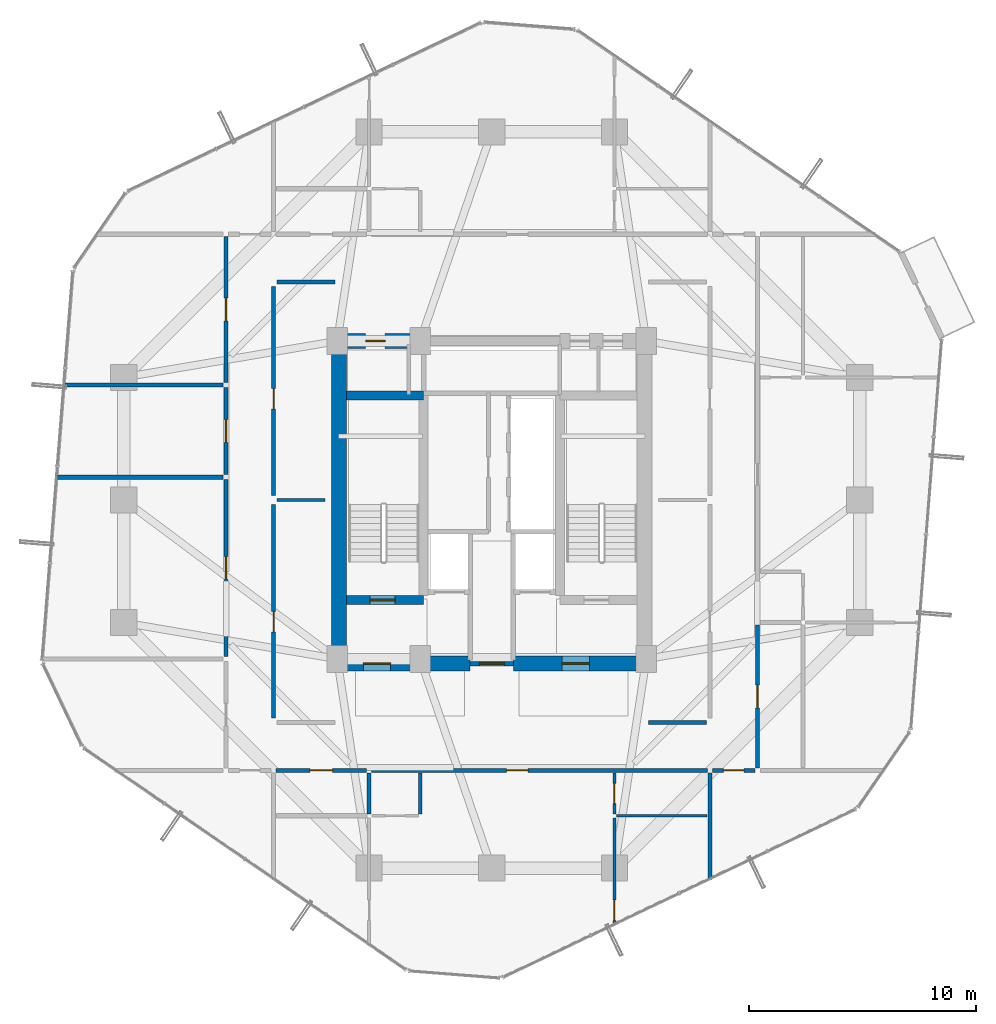
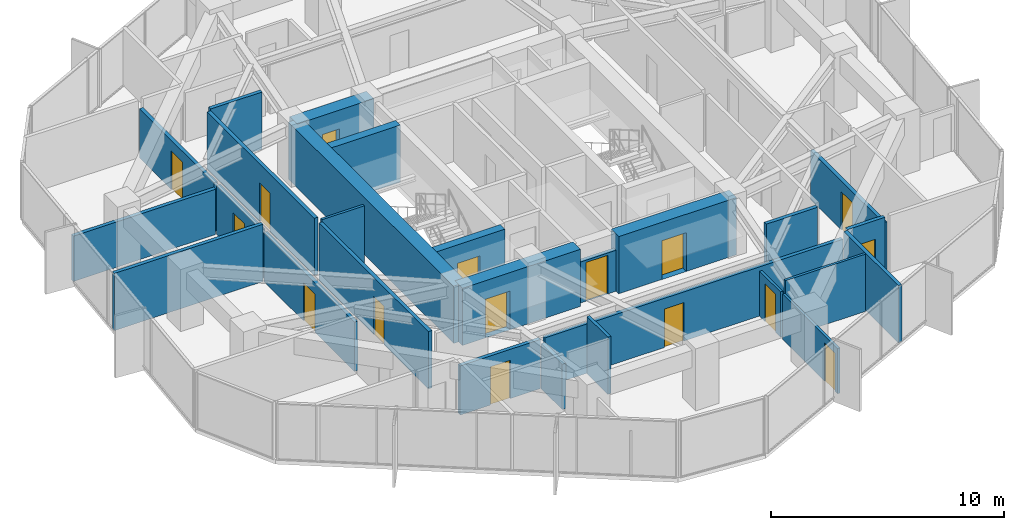
# One storey, part 26 of 30: 27 walls, 16 doors, 16 openings.
"""IFC4 building model written with IfcOpenShell, lengths in metres."""

from ifc_helpers import new_model, si_unit, direction, frame, frame_2d, origin, place, context, subcontext, project, spatial, rectangle, extrude, source, transform, mapped, material, layer, layer_set, type_object, element, fill, save


model = new_model("IFC4")

# Units and contexts
model_context = context("Model", 3, precision=1e-05, world=origin(), true_north=direction((0.0, 1.0)))
body_context = subcontext(model_context, "Body", "Model", "MODEL_VIEW")
ifc_project = project(units=[si_unit("LENGTHUNIT", "METRE"), si_unit("AREAUNIT", "SQUARE_METRE"), si_unit("VOLUMEUNIT", "CUBIC_METRE"), si_unit("PLANEANGLEUNIT", "RADIAN"), si_unit("MASSUNIT", "GRAM", prefix="KILO")], contexts=[model_context])

# Site, building, storey
site_placement = place(None, origin())
site = spatial("IfcSite", under=ifc_project, at=site_placement, CompositionType="ELEMENT")
building_placement = place(site_placement, origin())
building = spatial("IfcBuilding", under=site, at=building_placement, Name="Veraguas Prism Commons", CompositionType="ELEMENT")
storey_placement = place(building_placement, frame((0.0, 0.0, 113.25)))
storey = spatial("IfcBuildingStorey", under=building, at=storey_placement, Name="L31", CompositionType="ELEMENT", Elevation=113.25)

# Wall, opening, door
ifc_material_1 = material(Name="Concrete C50/60", Category="concrete")
ifc_layer_1 = layer(ifc_material_1, 0.39990234375, Name="Clinic and Mid Core Shear Wall RC 400", Category="concrete")
ifc_layer_set_1 = layer_set([ifc_layer_1], Name="Concrete C50/60")
wall_type_1 = type_object("IfcWallType", Name="Clinic and Mid Core Shear Wall RC 400", PredefinedType="SHEAR", material=ifc_layer_set_1)
wall_1_placement = place(storey_placement, frame((17.60009765625, 19.60009765625, 0.0), z_axis=(0.0, 0.0, 1.0), x_axis=(1.0, 0.0, 0.0)))
wall_1 = element("IfcWall", 1, at=wall_1_placement, inside=storey, type_object=wall_type_1, Name="Stair ST-01 South Shear Wall L31", PredefinedType="SHEAR", context=body_context, shape_type="SweptSolid", body=[
    extrude(rectangle(XDim=3.39990234375, YDim=0.39990234375, at=frame_2d((1.699951171875, 0.0))), origin(), (0.0, 0.0, 1.0), 3.0),
])
opening_1_placement = place(wall_1_placement, frame((1.050048828125, 0.0, 0.0)))
opening_1 = element("IfcOpeningElement", 2, at=opening_1_placement, cuts=wall_1, Name="Opening DR-05", PredefinedType="OPENING", context=body_context, shape_type="SweptSolid", body=[
    extrude(rectangle(XDim=1.10009765625, YDim=2.030029296875, at=frame_2d((0.550048828125, 1.01513671875))), frame((0.0, 0.2099609375, 0.0), z_axis=(0.0, -1.0, 0.0), x_axis=(1.0, 0.0, 0.0)), (0.0, 0.0, 1.0), 0.419921875),
])
ifc_material_2 = material(Name="Steel fire-rated door assembly", Category="steel")
door_type_1 = type_object("IfcDoorType", Name="Protected Stair and Refuge Fire Door 1100x2030", OperationType="NOTDEFINED", PredefinedType="DOOR", material=ifc_material_2)
shared_shape_1 = source(origin(), body_context, "Body", "SweptSolid", [
    extrude(rectangle(XDim=1.10009765625, YDim=2.030029296875, at=frame_2d((0.550048828125, 1.01513671875))), frame((0.0, 0.02490234375, 0.0), z_axis=(0.0, -1.0, 0.0), x_axis=(1.0, 0.0, 0.0)), (0.0, 0.0, 1.0), 0.050048828125),
])
door_1_placement = place(opening_1_placement, origin())
door_1 = element("IfcDoor", 3, at=door_1_placement, inside=storey, type_object=door_type_1, Name="Stair ST-01 Enclosure Door L31", OperationType="SINGLE_SWING_LEFT", OverallHeight=2.030029296875, OverallWidth=1.10009765625, PredefinedType="DOOR", context=body_context, shape_type="MappedRepresentation", body=[
    mapped(shared_shape_1, transform((0.0, 0.0, 0.0), scale=1.0)),
])
fill(opening_1, door_1)

# Walls
wall_2_placement = place(storey_placement, frame((17.60009765625, 28.60009765625, 0.0), z_axis=(0.0, 0.0, 1.0), x_axis=(1.0, 0.0, 0.0)))
element("IfcWall", 4, at=wall_2_placement, inside=storey, type_object=wall_type_1, Name="Stair ST-01 North Shear Wall L31", PredefinedType="SHEAR", context=body_context, shape_type="SweptSolid", body=[
    extrude(rectangle(XDim=3.39990234375, YDim=0.39990234375, at=frame_2d((1.699951171875, 0.0))), origin(), (0.0, 0.0, 1.0), 3.0),
])
ifc_material_3 = material(Name="Concrete C55/67", Category="concrete")
ifc_layer_2 = layer(ifc_material_3, 0.64990234375, Name="Core Outer Shear Wall Mid RC 650", Category="concrete")
ifc_layer_set_2 = layer_set([ifc_layer_2], Name="Concrete C55/67")
wall_type_2 = type_object("IfcWallType", Name="Core Outer Shear Wall Mid RC 650", PredefinedType="SHEAR", material=ifc_layer_set_2)
wall_3_placement = place(storey_placement, frame((17.27490234375, 16.800048828125, 0.0), z_axis=(0.0, 0.0, 1.0), x_axis=(0.0, 1.0, 0.0)))
element("IfcWall", 5, at=wall_3_placement, inside=storey, type_object=wall_type_2, Name="Central Core West Shear Wall L31", PredefinedType="SHEAR", context=body_context, shape_type="SweptSolid", body=[
    extrude(rectangle(XDim=14.199951171875, YDim=0.64990234375, at=frame_2d((7.10009765625, 0.0))), origin(), (0.0, 0.0, 1.0), 3.0),
])

# Wall, opening, door
wall_4_placement = place(storey_placement, frame((17.199951171875, 16.800048828125, 0.0), z_axis=(0.0, 0.0, 1.0), x_axis=(1.0, 0.0, 0.0)))
wall_4 = element("IfcWall", 6, at=wall_4_placement, inside=storey, type_object=wall_type_2, Name="Central Core South-West Shear Wall L31", PredefinedType="SHEAR", context=body_context, shape_type="SweptSolid", body=[
    extrude(rectangle(XDim=5.85009765625, YDim=0.64990234375, at=frame_2d((2.925048828125, 0.0))), origin(), (0.0, 0.0, 1.0), 3.0),
])
opening_2_placement = place(wall_4_placement, frame((1.14990234375, 0.0, 0.0)))
opening_2 = element("IfcOpeningElement", 7, at=opening_2_placement, cuts=wall_4, Name="Opening DR-06", PredefinedType="OPENING", context=body_context, shape_type="SweptSolid", body=[
    extrude(rectangle(XDim=1.199951171875, YDim=2.030029296875, at=frame_2d((0.60009765625, 1.01513671875))), frame((0.0, 0.3349609375, 0.0), z_axis=(0.0, -1.0, 0.0), x_axis=(1.0, 0.0, 0.0)), (0.0, 0.0, 1.0), 0.669921875),
])
door_type_2 = type_object("IfcDoorType", Name="Firefighting Lobby Smoke Door 1200x2030", OperationType="NOTDEFINED", PredefinedType="DOOR", material=ifc_material_2)
shared_shape_2 = source(origin(), body_context, "Body", "SweptSolid", [
    extrude(rectangle(XDim=1.199951171875, YDim=2.030029296875, at=frame_2d((0.60009765625, 1.01513671875))), frame((0.0, 0.02490234375, 0.0), z_axis=(0.0, -1.0, 0.0), x_axis=(1.0, 0.0, 0.0)), (0.0, 0.0, 1.0), 0.050048828125),
])
door_2_placement = place(opening_2_placement, origin())
door_2 = element("IfcDoor", 8, at=door_2_placement, inside=storey, type_object=door_type_2, Name="West FF Lobby Door L31", OperationType="SINGLE_SWING_LEFT", OverallHeight=2.030029296875, OverallWidth=1.199951171875, PredefinedType="DOOR", context=body_context, shape_type="MappedRepresentation", body=[
    mapped(shared_shape_2, transform((0.0, 0.0, 0.0), scale=1.0)),
])
fill(opening_2, door_2)

wall_5_placement = place(storey_placement, frame((24.949951171875, 16.800048828125, 0.0), z_axis=(0.0, 0.0, 1.0), x_axis=(1.0, 0.0, 0.0)))
wall_5 = element("IfcWall", 9, at=wall_5_placement, inside=storey, type_object=wall_type_2, Name="Central Core South-East Shear Wall L31", PredefinedType="SHEAR", context=body_context, shape_type="SweptSolid", body=[
    extrude(rectangle(XDim=5.85009765625, YDim=0.64990234375, at=frame_2d((2.925048828125, 0.0))), origin(), (0.0, 0.0, 1.0), 3.0),
])
opening_3_placement = place(wall_5_placement, frame((2.14990234375, 0.0, 0.0)))
opening_3 = element("IfcOpeningElement", 10, at=opening_3_placement, cuts=wall_5, Name="Opening DR-06", PredefinedType="OPENING", context=body_context, shape_type="SweptSolid", body=[
    extrude(rectangle(XDim=1.199951171875, YDim=2.030029296875, at=frame_2d((0.60009765625, 1.01513671875))), frame((0.0, 0.3349609375, 0.0), z_axis=(0.0, -1.0, 0.0), x_axis=(1.0, 0.0, 0.0)), (0.0, 0.0, 1.0), 0.669921875),
])
door_3_placement = place(opening_3_placement, origin())
door_3 = element("IfcDoor", 11, at=door_3_placement, inside=storey, type_object=door_type_2, Name="East FF Lobby Door L31", OperationType="SINGLE_SWING_LEFT", OverallHeight=2.030029296875, OverallWidth=1.199951171875, PredefinedType="DOOR", context=body_context, shape_type="MappedRepresentation", body=[
    mapped(shared_shape_2, transform((0.0, 0.0, 0.0), scale=1.0)),
])
fill(opening_3, door_3)

wall_6_placement = place(storey_placement, frame((17.199951171875, 31.0, 0.0), z_axis=(0.0, 0.0, 1.0), x_axis=(1.0, 0.0, 0.0)))
wall_6 = element("IfcWall", 12, at=wall_6_placement, inside=storey, type_object=wall_type_2, Name="Central Core North-West Shear Wall L31", PredefinedType="SHEAR", context=body_context, shape_type="SweptSolid", body=[
    extrude(rectangle(XDim=3.800048828125, YDim=0.64990234375, at=frame_2d((1.89990234375, 0.0))), origin(), (0.0, 0.0, 1.0), 3.0),
])
opening_4_placement = place(wall_6_placement, frame((1.25, 0.0, 0.0)))
opening_4 = element("IfcOpeningElement", 13, at=opening_4_placement, cuts=wall_6, Name="Opening DR-12", PredefinedType="OPENING", context=body_context, shape_type="SweptSolid", body=[
    extrude(rectangle(XDim=0.860107421875, YDim=2.010009765625, at=frame_2d((0.43017578125, 1.0048828125))), frame((0.0, 0.3349609375, 0.0), z_axis=(0.0, -1.0, 0.0), x_axis=(1.0, 0.0, 0.0)), (0.0, 0.0, 1.0), 0.669921875),
])
door_type_3 = type_object("IfcDoorType", Name="Core WC Fire Door 860x2010", OperationType="NOTDEFINED", PredefinedType="DOOR", material=ifc_material_2)
shared_shape_3 = source(origin(), body_context, "Body", "SweptSolid", [
    extrude(rectangle(XDim=0.860107421875, YDim=2.010009765625, at=frame_2d((0.43017578125, 1.0048828125))), frame((0.0, 0.02490234375, 0.0), z_axis=(0.0, -1.0, 0.0), x_axis=(1.0, 0.0, 0.0)), (0.0, 0.0, 1.0), 0.050048828125),
])
door_4_placement = place(opening_4_placement, origin())
door_4 = element("IfcDoor", 14, at=door_4_placement, inside=storey, type_object=door_type_3, Name="Core NW Service Door L31", OperationType="SINGLE_SWING_RIGHT", OverallHeight=2.010009765625, OverallWidth=0.860107421875, PredefinedType="DOOR", context=body_context, shape_type="MappedRepresentation", body=[
    mapped(shared_shape_3, transform((0.0, 0.0, 0.0), scale=1.0)),
])
fill(opening_4, door_4)

ifc_material_4 = material(Name="Autoclaved aerated masonry block 10 MPa", Category="masonry")
ifc_layer_3 = layer(ifc_material_4, 0.179931640625, Name="Corridor and Inter-Tenancy Partition 180", Category="masonry")
ifc_layer_set_3 = layer_set([ifc_layer_3], Name="Autoclaved aerated masonry block 10 MPa")
wall_type_3 = type_object("IfcWallType", Name="Corridor and Inter-Tenancy Partition 180", PredefinedType="PARTITIONING", material=ifc_layer_set_3)
wall_7_placement = place(storey_placement, frame((14.39990234375, 14.39990234375, 0.0), z_axis=(0.0, 0.0, 1.0), x_axis=(0.0, 1.0, 0.0)))
wall_7 = element("IfcWall", 15, at=wall_7_placement, inside=storey, type_object=wall_type_3, Name="WL-L31-IRW1", PredefinedType="PARTITIONING", context=body_context, shape_type="SweptSolid", body=[
    extrude(rectangle(XDim=9.400146484375, YDim=0.179931640625, at=frame_2d((4.7001953125, 0.0))), origin(), (0.0, 0.0, 1.0), 3.0),
])
opening_5_placement = place(wall_7_placement, frame((3.800048828125, 0.0, 0.0)))
opening_5 = element("IfcOpeningElement", 16, at=opening_5_placement, cuts=wall_7, Name="Opening DR-14", PredefinedType="OPENING", context=body_context, shape_type="SweptSolid", body=[
    extrude(rectangle(XDim=0.89990234375, YDim=2.010009765625, at=frame_2d((0.449951171875, 1.0048828125))), frame((0.0, 0.099853515625, 0.0), z_axis=(0.0, -1.0, 0.0), x_axis=(1.0, 0.0, 0.0)), (0.0, 0.0, 1.0), 0.199951171875),
])
door_type_4 = type_object("IfcDoorType", Name="Core Service Room Fire Door 900x2010", OperationType="NOTDEFINED", PredefinedType="DOOR", material=ifc_material_2)
shared_shape_4 = source(origin(), body_context, "Body", "SweptSolid", [
    extrude(rectangle(XDim=0.89990234375, YDim=2.010009765625, at=frame_2d((0.449951171875, 1.0048828125))), frame((0.0, 0.02490234375, 0.0), z_axis=(0.0, -1.0, 0.0), x_axis=(1.0, 0.0, 0.0)), (0.0, 0.0, 1.0), 0.050048828125),
])
door_5_placement = place(opening_5_placement, origin())
door_5 = element("IfcDoor", 17, at=door_5_placement, inside=storey, type_object=door_type_4, Name="Residents Quiet Study Pod Door L31", OperationType="SINGLE_SWING_RIGHT", OverallHeight=2.010009765625, OverallWidth=0.89990234375, PredefinedType="DOOR", context=body_context, shape_type="MappedRepresentation", body=[
    mapped(shared_shape_4, transform((0.0, 0.0, 0.0), scale=1.0)),
])
fill(opening_5, door_5)

wall_8_placement = place(storey_placement, frame((14.39990234375, 24.199951171875, 0.0), z_axis=(0.0, 0.0, 1.0), x_axis=(0.0, 1.0, 0.0)))
wall_8 = element("IfcWall", 18, at=wall_8_placement, inside=storey, type_object=wall_type_3, Name="WL-L31-IRW2", PredefinedType="PARTITIONING", context=body_context, shape_type="SweptSolid", body=[
    extrude(rectangle(XDim=9.199951171875, YDim=0.179931640625, at=frame_2d((4.60009765625, 0.0))), origin(), (0.0, 0.0, 1.0), 3.0),
])
opening_6_placement = place(wall_8_placement, frame((3.800048828125, 0.0, 0.0)))
opening_6 = element("IfcOpeningElement", 19, at=opening_6_placement, cuts=wall_8, Name="Opening DR-14", PredefinedType="OPENING", context=body_context, shape_type="SweptSolid", body=[
    extrude(rectangle(XDim=0.89990234375, YDim=2.010009765625, at=frame_2d((0.449951171875, 1.0048828125))), frame((0.0, 0.099853515625, 0.0), z_axis=(0.0, -1.0, 0.0), x_axis=(1.0, 0.0, 0.0)), (0.0, 0.0, 1.0), 0.199951171875),
])
door_6_placement = place(opening_6_placement, origin())
door_6 = element("IfcDoor", 20, at=door_6_placement, inside=storey, type_object=door_type_4, Name="Co-op Cycle and Pram Store Door L31", OperationType="SINGLE_SWING_LEFT", OverallHeight=2.010009765625, OverallWidth=0.89990234375, PredefinedType="DOOR", context=body_context, shape_type="MappedRepresentation", body=[
    mapped(shared_shape_4, transform((0.0, 0.0, 0.0), scale=1.0)),
])
fill(opening_6, door_6)

# Walls
for number, where, z_axis, x_axis, name in (
    (21, (14.550048828125, 33.60009765625, 0.0), (0.0, 0.0, 1.0), (1.0, 0.0, 0.0), "WL-L31-IRWN"),
    (22, (30.89990234375, 14.199951171875, 0.0), (0.0, 0.0, 1.0), (1.0, 0.0, 0.0), "WL-L31-IRES"),
):
    element("IfcWall", number, at=place(storey_placement, frame(where, z_axis=z_axis, x_axis=x_axis)), inside=storey, type_object=wall_type_3, Name=name, PredefinedType="PARTITIONING", context=body_context, shape_type="SweptSolid", body=[
        extrude(rectangle(XDim=2.550048828125, YDim=0.179931640625, at=frame_2d((1.27490234375, 0.0))), origin(), (0.0, 0.0, 1.0), 3.0),
    ])
wall_9_placement = place(storey_placement, frame((33.60009765625, 11.97998046875, 0.0), z_axis=(0.0, 0.0, 1.0), x_axis=(0.0, -1.0, 0.0)))
element("IfcWall", 23, at=wall_9_placement, inside=storey, type_object=wall_type_3, Name="WL-L31-PT002", PredefinedType="PARTITIONING", context=body_context, shape_type="SweptSolid", body=[
    extrude(rectangle(XDim=4.6875, YDim=0.179931640625, at=frame_2d((2.34375, 0.0))), origin(), (0.0, 0.0, 1.0), 3.0),
])

# Wall, opening, door
wall_10_placement = place(storey_placement, frame((14.510009765625, 12.10009765625, 0.0), z_axis=(0.0, 0.0, 1.0), x_axis=(1.0, 0.0, 0.0)))
wall_10 = element("IfcWall", 24, at=wall_10_placement, inside=storey, type_object=wall_type_3, Name="WL-L31-PT003", PredefinedType="PARTITIONING", context=body_context, shape_type="SweptSolid", body=[
    extrude(rectangle(XDim=3.97998046875, YDim=0.179931640625, at=frame_2d((1.989990234375, 0.0))), origin(), (0.0, 0.0, 1.0), 2.580078125),
])
opening_7_placement = place(wall_10_placement, frame((1.489990234375, 0.0, 0.0)))
opening_7 = element("IfcOpeningElement", 25, at=opening_7_placement, cuts=wall_10, Name="Opening DR-13", PredefinedType="OPENING", context=body_context, shape_type="SweptSolid", body=[
    extrude(rectangle(XDim=1.0, YDim=2.010009765625, at=frame_2d((0.5, 1.0048828125))), frame((0.0, 0.099853515625, 0.0), z_axis=(0.0, -1.0, 0.0), x_axis=(1.0, 0.0, 0.0)), (0.0, 0.0, 1.0), 0.199951171875),
])
door_type_5 = type_object("IfcDoorType", Name="Core Accessible WC and Clinic Fire Door 1000x2010", OperationType="NOTDEFINED", PredefinedType="DOOR", material=ifc_material_2)
shared_shape_5 = source(origin(), body_context, "Body", "SweptSolid", [
    extrude(rectangle(XDim=1.0, YDim=2.010009765625, at=frame_2d((0.5, 1.0048828125))), frame((0.0, 0.02490234375, 0.0), z_axis=(0.0, -1.0, 0.0), x_axis=(1.0, 0.0, 0.0)), (0.0, 0.0, 1.0), 0.050048828125),
])
door_7_placement = place(opening_7_placement, origin())
door_7 = element("IfcDoor", 26, at=door_7_placement, inside=storey, type_object=door_type_5, Name="Residents Study Alcove 31A Door", OperationType="SINGLE_SWING_RIGHT", OverallHeight=2.010009765625, OverallWidth=1.0, PredefinedType="DOOR", context=body_context, shape_type="MappedRepresentation", body=[
    mapped(shared_shape_5, transform((0.0, 0.0, 0.0), scale=1.0)),
])
fill(opening_7, door_7)

wall_11_placement = place(storey_placement, frame((18.7099609375, 12.10009765625, 0.0), z_axis=(0.0, 0.0, 1.0), x_axis=(1.0, 0.0, 0.0)))
wall_11 = element("IfcWall", 27, at=wall_11_placement, inside=storey, type_object=wall_type_3, Name="WL-L31-PT004", PredefinedType="PARTITIONING", context=body_context, shape_type="SweptSolid", body=[
    extrude(rectangle(XDim=14.780029296875, YDim=0.179931640625, at=frame_2d((7.39013671875, 0.0))), origin(), (0.0, 0.0, 1.0), 2.580078125),
])
opening_8_placement = place(wall_11_placement, frame((5.93994140625, 0.0, 0.0)))
opening_8 = element("IfcOpeningElement", 28, at=opening_8_placement, cuts=wall_11, Name="Opening DR-01", PredefinedType="OPENING", context=body_context, shape_type="SweptSolid", body=[
    extrude(rectangle(XDim=0.949951171875, YDim=2.02001953125, at=frame_2d((0.47509765625, 1.010009765625))), frame((0.0, 0.099853515625, 0.0), z_axis=(0.0, -1.0, 0.0), x_axis=(1.0, 0.0, 0.0)), (0.0, 0.0, 1.0), 0.199951171875),
])
ifc_material_5 = material(Name="Anodised aluminium EN AW-6063 T6", Category="aluminium")
door_type_6 = type_object("IfcDoorType", Name="Apartment Entrance Fire Door 950x2020", OperationType="NOTDEFINED", PredefinedType="DOOR", material=ifc_material_5)
shared_shape_6 = source(origin(), body_context, "Body", "SweptSolid", [
    extrude(rectangle(XDim=0.949951171875, YDim=2.02001953125, at=frame_2d((0.47509765625, 1.010009765625))), frame((0.0, 0.02490234375, 0.0), z_axis=(0.0, -1.0, 0.0), x_axis=(1.0, 0.0, 0.0)), (0.0, 0.0, 1.0), 0.050048828125),
])
door_8_placement = place(opening_8_placement, origin())
door_8 = element("IfcDoor", 29, at=door_8_placement, inside=storey, type_object=door_type_6, Name="Flat 31A Entrance Door", OperationType="SINGLE_SWING_LEFT", OverallHeight=2.02001953125, OverallWidth=0.949951171875, PredefinedType="DOOR", context=body_context, shape_type="MappedRepresentation", body=[
    mapped(shared_shape_6, transform((0.0, 0.0, 0.0), scale=1.0)),
])
fill(opening_8, door_8)

# Wall
wall_12_placement = place(storey_placement, frame((18.60009765625, 11.97998046875, 0.0), z_axis=(0.0, 0.0, 1.0), x_axis=(0.0, -1.0, 0.0)))
element("IfcWall", 30, at=wall_12_placement, inside=storey, type_object=wall_type_3, Name="WL-L31-PT006", PredefinedType="PARTITIONING", context=body_context, shape_type="SweptSolid", body=[
    extrude(rectangle(XDim=1.800048828125, YDim=0.179931640625, at=frame_2d((0.89990234375, 0.0))), origin(), (0.0, 0.0, 1.0), 2.3779296875),
])

# Wall, opening, door
wall_13_placement = place(storey_placement, frame((12.300048828125, 17.113037109375, 0.0), z_axis=(0.0, 0.0, 1.0), x_axis=(0.0, 1.0, 0.0)))
wall_13 = element("IfcWall", 31, at=wall_13_placement, inside=storey, type_object=wall_type_3, Name="WL-L31-PT028", PredefinedType="PARTITIONING", context=body_context, shape_type="SweptSolid", body=[
    extrude(rectangle(XDim=7.779052734375, YDim=0.179931640625, at=frame_2d((3.8896484375, 0.0))), origin(), (0.0, 0.0, 1.0), 2.580078125),
])
opening_9_placement = place(wall_13_placement, frame((3.389404296875, 0.0, 0.0)))
opening_9 = element("IfcOpeningElement", 32, at=opening_9_placement, cuts=wall_13, Name="Opening DR-13", PredefinedType="OPENING", context=body_context, shape_type="SweptSolid", body=[
    extrude(rectangle(XDim=1.0, YDim=2.010009765625, at=frame_2d((0.5, 1.0048828125))), frame((0.0, 0.099853515625, 0.0), z_axis=(0.0, -1.0, 0.0), x_axis=(1.0, 0.0, 0.0)), (0.0, 0.0, 1.0), 0.199951171875),
])
door_9_placement = place(opening_9_placement, origin())
door_9 = element("IfcDoor", 33, at=door_9_placement, inside=storey, type_object=door_type_5, Name="Co-op Store W Door", OperationType="SINGLE_SWING_LEFT", OverallHeight=2.010009765625, OverallWidth=1.0, PredefinedType="DOOR", context=body_context, shape_type="MappedRepresentation", body=[
    mapped(shared_shape_5, transform((0.0, 0.0, 0.0), scale=1.0)),
])
fill(opening_9, door_9)

# Wall
wall_14_placement = place(storey_placement, frame((12.179931640625, 25.001953125, 0.0), z_axis=(0.0, 0.0, 1.0), x_axis=(-1.0, 0.0, 0.0)))
element("IfcWall", 34, at=wall_14_placement, inside=storey, type_object=wall_type_3, Name="WL-L31-PT030", PredefinedType="PARTITIONING", context=body_context, shape_type="SweptSolid", body=[
    extrude(rectangle(XDim=7.373046875, YDim=0.179931640625, at=frame_2d((3.6865234375, 0.0))), origin(), (0.0, 0.0, 1.0), 3.0),
])

# Wall, opening, door
wall_15_placement = place(storey_placement, frame((12.300048828125, 25.112060546875, 0.0), z_axis=(0.0, 0.0, 1.0), x_axis=(0.0, 1.0, 0.0)))
wall_15 = element("IfcWall", 35, at=wall_15_placement, inside=storey, type_object=wall_type_3, Name="WL-L31-PT031", PredefinedType="PARTITIONING", context=body_context, shape_type="SweptSolid", body=[
    extrude(rectangle(XDim=3.844970703125, YDim=0.179931640625, at=frame_2d((1.92236328125, 0.0))), origin(), (0.0, 0.0, 1.0), 2.580078125),
])
opening_10_placement = place(wall_15_placement, frame((1.422607421875, 0.0, 0.0)))
opening_10 = element("IfcOpeningElement", 36, at=opening_10_placement, cuts=wall_15, Name="Opening DR-13", PredefinedType="OPENING", context=body_context, shape_type="SweptSolid", body=[
    extrude(rectangle(XDim=1.0, YDim=2.010009765625, at=frame_2d((0.5, 1.0048828125))), frame((0.0, 0.099853515625, 0.0), z_axis=(0.0, -1.0, 0.0), x_axis=(1.0, 0.0, 0.0)), (0.0, 0.0, 1.0), 0.199951171875),
])
door_10_placement = place(opening_10_placement, origin())
door_10 = element("IfcDoor", 37, at=door_10_placement, inside=storey, type_object=door_type_5, Name="Shared Laundry Room Door", OperationType="SINGLE_SWING_RIGHT", OverallHeight=2.010009765625, OverallWidth=1.0, PredefinedType="DOOR", context=body_context, shape_type="MappedRepresentation", body=[
    mapped(shared_shape_5, transform((0.0, 0.0, 0.0), scale=1.0)),
])
fill(opening_10, door_10)

wall_16_placement = place(storey_placement, frame((12.300048828125, 29.177001953125, 0.0), z_axis=(0.0, 0.0, 1.0), x_axis=(0.0, 1.0, 0.0)))
wall_16 = element("IfcWall", 38, at=wall_16_placement, inside=storey, type_object=wall_type_3, Name="WL-L31-PT032", PredefinedType="PARTITIONING", context=body_context, shape_type="SweptSolid", body=[
    extrude(rectangle(XDim=6.4130859375, YDim=0.179931640625, at=frame_2d((3.20654296875, 0.0))), origin(), (0.0, 0.0, 1.0), 2.580078125),
])
opening_11_placement = place(wall_16_placement, frame((2.70654296875, 0.0, 0.0)))
opening_11 = element("IfcOpeningElement", 39, at=opening_11_placement, cuts=wall_16, Name="Opening DR-13", PredefinedType="OPENING", context=body_context, shape_type="SweptSolid", body=[
    extrude(rectangle(XDim=1.0, YDim=2.010009765625, at=frame_2d((0.5, 1.0048828125))), frame((0.0, 0.099853515625, 0.0), z_axis=(0.0, -1.0, 0.0), x_axis=(1.0, 0.0, 0.0)), (0.0, 0.0, 1.0), 0.199951171875),
])
door_11_placement = place(opening_11_placement, origin())
door_11 = element("IfcDoor", 40, at=door_11_placement, inside=storey, type_object=door_type_5, Name="Co-op Store W Door", OperationType="SINGLE_SWING_LEFT", OverallHeight=2.010009765625, OverallWidth=1.0, PredefinedType="DOOR", context=body_context, shape_type="MappedRepresentation", body=[
    mapped(shared_shape_5, transform((0.0, 0.0, 0.0), scale=1.0)),
])
fill(opening_11, door_11)

# Wall
wall_17_placement = place(storey_placement, frame((12.179931640625, 29.06689453125, 0.0), z_axis=(0.0, 0.0, 1.0), x_axis=(-1.0, 0.0, 0.0)))
element("IfcWall", 41, at=wall_17_placement, inside=storey, type_object=wall_type_3, Name="WL-L31-PT033", PredefinedType="PARTITIONING", context=body_context, shape_type="SweptSolid", body=[
    extrude(rectangle(XDim=7.0517578125, YDim=0.179931640625, at=frame_2d((3.52587890625, 0.0))), origin(), (0.0, 0.0, 1.0), 2.3779296875),
])

# Wall, opening, door
wall_18_placement = place(storey_placement, frame((35.699951171875, 12.2099609375, 0.0), z_axis=(0.0, 0.0, 1.0), x_axis=(0.0, 1.0, 0.0)))
wall_18 = element("IfcWall", 42, at=wall_18_placement, inside=storey, type_object=wall_type_3, Name="WL-L31-PT036", PredefinedType="PARTITIONING", context=body_context, shape_type="SweptSolid", body=[
    extrude(rectangle(XDim=6.280029296875, YDim=0.179931640625, at=frame_2d((3.14013671875, 0.0))), origin(), (0.0, 0.0, 1.0), 2.580078125),
])
opening_12_placement = place(wall_18_placement, frame((2.639892578125, 0.0, 0.0)))
opening_12 = element("IfcOpeningElement", 43, at=opening_12_placement, cuts=wall_18, Name="Opening DR-13", PredefinedType="OPENING", context=body_context, shape_type="SweptSolid", body=[
    extrude(rectangle(XDim=1.0, YDim=2.010009765625, at=frame_2d((0.5, 1.0048828125))), frame((0.0, 0.099853515625, 0.0), z_axis=(0.0, -1.0, 0.0), x_axis=(1.0, 0.0, 0.0)), (0.0, 0.0, 1.0), 0.199951171875),
])
door_12_placement = place(opening_12_placement, origin())
door_12 = element("IfcDoor", 44, at=door_12_placement, inside=storey, type_object=door_type_5, Name="Residents Study Alcove 31C Door", OperationType="SINGLE_SWING_RIGHT", OverallHeight=2.010009765625, OverallWidth=1.0, PredefinedType="DOOR", context=body_context, shape_type="MappedRepresentation", body=[
    mapped(shared_shape_5, transform((0.0, 0.0, 0.0), scale=1.0)),
])
fill(opening_12, door_12)

wall_19_placement = place(storey_placement, frame((33.719970703125, 12.10009765625, 0.0), z_axis=(0.0, 0.0, 1.0), x_axis=(1.0, 0.0, 0.0)))
wall_19 = element("IfcWall", 45, at=wall_19_placement, inside=storey, type_object=wall_type_3, Name="WL-L31-PT047", PredefinedType="PARTITIONING", context=body_context, shape_type="SweptSolid", body=[
    extrude(rectangle(XDim=1.860107421875, YDim=0.179931640625, at=frame_2d((0.93017578125, 0.0))), origin(), (0.0, 0.0, 1.0), 3.0),
])
opening_13_placement = place(wall_19_placement, frame((0.47998046875, 0.0, 0.0)))
opening_13 = element("IfcOpeningElement", 46, at=opening_13_placement, cuts=wall_19, Name="Opening DR-14", PredefinedType="OPENING", context=body_context, shape_type="SweptSolid", body=[
    extrude(rectangle(XDim=0.89990234375, YDim=2.010009765625, at=frame_2d((0.449951171875, 1.0048828125))), frame((0.0, 0.099853515625, 0.0), z_axis=(0.0, -1.0, 0.0), x_axis=(1.0, 0.0, 0.0)), (0.0, 0.0, 1.0), 0.199951171875),
])
door_13_placement = place(opening_13_placement, origin())
door_13 = element("IfcDoor", 47, at=door_13_placement, inside=storey, type_object=door_type_4, Name="Residents Cycle and Pram Store SE Door", OperationType="SINGLE_SWING_LEFT", OverallHeight=2.010009765625, OverallWidth=0.89990234375, PredefinedType="DOOR", context=body_context, shape_type="MappedRepresentation", body=[
    mapped(shared_shape_4, transform((0.0, 0.0, 0.0), scale=1.0)),
])
fill(opening_13, door_13)

# Wall
ifc_material_6 = material(Name="Lightweight acoustic gypsum board")
ifc_layer_4 = layer(ifc_material_6, 0.125, Name="Internal Apartment Room Partition 125")
ifc_layer_set_4 = layer_set([ifc_layer_4], Name="Lightweight acoustic gypsum board")
wall_type_4 = type_object("IfcWallType", Name="Internal Apartment Room Partition 125", PredefinedType="PARTITIONING", material=ifc_layer_set_4)
wall_20_placement = place(storey_placement, frame((14.550048828125, 24.0, 0.0), z_axis=(0.0, 0.0, 1.0), x_axis=(1.0, 0.0, 0.0)))
element("IfcWall", 48, at=wall_20_placement, inside=storey, type_object=wall_type_4, Name="WL-L31-IRWM", PredefinedType="PARTITIONING", context=body_context, shape_type="SweptSolid", body=[
    extrude(rectangle(XDim=2.099853515625, YDim=0.125, at=frame_2d((1.0498046875, 0.0))), origin(), (0.0, 0.0, 1.0), 3.0),
])

# Wall, opening, door
wall_21_placement = place(storey_placement, frame((29.39990234375, 11.97998046875, 0.0), z_axis=(0.0, 0.0, 1.0), x_axis=(0.0, -1.0, 0.0)))
wall_21 = element("IfcWall", 49, at=wall_21_placement, inside=storey, type_object=wall_type_4, Name="WL-L31-PT010", PredefinedType="PARTITIONING", context=body_context, shape_type="SweptSolid", body=[
    extrude(rectangle(XDim=1.800048828125, YDim=0.125, at=frame_2d((0.89990234375, 0.0))), origin(), (0.0, 0.0, 1.0), 2.3779296875),
])
opening_14_placement = place(wall_21_placement, frame((0.449951171875, 0.0, 0.0)))
opening_14 = element("IfcOpeningElement", 50, at=opening_14_placement, cuts=wall_21, Name="Opening DR-02", PredefinedType="OPENING", context=body_context, shape_type="SweptSolid", body=[
    extrude(rectangle(XDim=0.89990234375, YDim=2.010009765625, at=frame_2d((0.449951171875, 1.0048828125))), frame((0.0, 0.072509765625, 0.0), z_axis=(0.0, -1.0, 0.0), x_axis=(1.0, 0.0, 0.0)), (0.0, 0.0, 1.0), 0.14501953125),
])
ifc_material_7 = material(Name="Timber solid core hardwood", Category="wood")
door_type_7 = type_object("IfcDoorType", Name="Internal Habitable Room Door 900x2010", OperationType="NOTDEFINED", PredefinedType="DOOR", material=ifc_material_7)
door_14_placement = place(opening_14_placement, origin())
door_14 = element("IfcDoor", 51, at=door_14_placement, inside=storey, type_object=door_type_7, Name="Flat 31A Kitchen Door", OperationType="SINGLE_SWING_RIGHT", OverallHeight=2.010009765625, OverallWidth=0.89990234375, PredefinedType="DOOR", context=body_context, shape_type="MappedRepresentation", body=[
    mapped(shared_shape_4, transform((0.0, 0.0, 0.0), scale=1.0)),
])
fill(opening_14, door_14)

# Wall
wall_22_placement = place(storey_placement, frame((29.5, 10.10009765625, 0.0), z_axis=(0.0, 0.0, 1.0), x_axis=(1.0, 0.0, 0.0)))
element("IfcWall", 52, at=wall_22_placement, inside=storey, type_object=wall_type_4, Name="WL-L31-PT011", PredefinedType="PARTITIONING", context=body_context, shape_type="SweptSolid", body=[
    extrude(rectangle(XDim=3.97998046875, YDim=0.125, at=frame_2d((1.989990234375, 0.0))), origin(), (0.0, 0.0, 1.0), 3.0),
])

# Wall, opening, door
wall_23_placement = place(storey_placement, frame((29.39990234375, 10.0, 0.0), z_axis=(0.0, 0.0, 1.0), x_axis=(0.0, -1.0, 0.0)))
wall_23 = element("IfcWall", 53, at=wall_23_placement, inside=storey, type_object=wall_type_4, Name="WL-L31-PT012", PredefinedType="PARTITIONING", context=body_context, shape_type="SweptSolid", body=[
    extrude(rectangle(XDim=4.708984375, YDim=0.125, at=frame_2d((2.3544921875, 0.0))), origin(), (0.0, 0.0, 1.0), 2.3779296875),
])
opening_15_placement = place(wall_23_placement, frame((3.609130859375, 0.0, 0.0)))
opening_15 = element("IfcOpeningElement", 54, at=opening_15_placement, cuts=wall_23, Name="Opening DR-02", PredefinedType="OPENING", context=body_context, shape_type="SweptSolid", body=[
    extrude(rectangle(XDim=0.89990234375, YDim=2.010009765625, at=frame_2d((0.449951171875, 1.0048828125))), frame((0.0, 0.072509765625, 0.0), z_axis=(0.0, -1.0, 0.0), x_axis=(1.0, 0.0, 0.0)), (0.0, 0.0, 1.0), 0.14501953125),
])
door_15_placement = place(opening_15_placement, origin())
door_15 = element("IfcDoor", 55, at=door_15_placement, inside=storey, type_object=door_type_7, Name="Flat 31A Bedroom 1 Door", OperationType="SINGLE_SWING_LEFT", OverallHeight=2.010009765625, OverallWidth=0.89990234375, PredefinedType="DOOR", context=body_context, shape_type="MappedRepresentation", body=[
    mapped(shared_shape_4, transform((0.0, 0.0, 0.0), scale=1.0)),
])
fill(opening_15, door_15)

ifc_layer_5 = layer(ifc_material_4, 0.199951171875, Name="Rated Shaft and Lobby Block Wall 200", Category="masonry")
ifc_layer_set_5 = layer_set([ifc_layer_5], Name="Autoclaved aerated masonry block 10 MPa")
wall_type_5 = type_object("IfcWallType", Name="Rated Shaft and Lobby Block Wall 200", PredefinedType="SOLIDWALL", material=ifc_layer_set_5)
wall_24_placement = place(storey_placement, frame((23.050048828125, 16.800048828125, 0.0), z_axis=(0.0, 0.0, 1.0), x_axis=(1.0, 0.0, 0.0)))
wall_24 = element("IfcWall", 56, at=wall_24_placement, inside=storey, type_object=wall_type_5, Name="Central Core Lobby Entrance Wall L31", PredefinedType="SOLIDWALL", context=body_context, shape_type="SweptSolid", body=[
    extrude(rectangle(XDim=1.89990234375, YDim=0.199951171875, at=frame_2d((0.949951171875, 0.0))), origin(), (0.0, 0.0, 1.0), 2.14990234375),
])
opening_16_placement = place(wall_24_placement, frame((0.39990234375, 0.0, 0.0)))
opening_16 = element("IfcOpeningElement", 57, at=opening_16_placement, cuts=wall_24, Name="Opening DR-05", PredefinedType="OPENING", context=body_context, shape_type="SweptSolid", body=[
    extrude(rectangle(XDim=1.10009765625, YDim=2.030029296875, at=frame_2d((0.550048828125, 1.01513671875))), frame((0.0, 0.10986328125, 0.0), z_axis=(0.0, -1.0, 0.0), x_axis=(1.0, 0.0, 0.0)), (0.0, 0.0, 1.0), 0.219970703125),
])
door_16_placement = place(opening_16_placement, origin())
door_16 = element("IfcDoor", 58, at=door_16_placement, inside=storey, type_object=door_type_1, Name="Central Lobby Door L31", OperationType="SINGLE_SWING_RIGHT", OverallHeight=2.030029296875, OverallWidth=1.10009765625, PredefinedType="DOOR", context=body_context, shape_type="MappedRepresentation", body=[
    mapped(shared_shape_1, transform((0.0, 0.0, 0.0), scale=1.0)),
])
fill(opening_16, door_16)

# Wall
ifc_layer_6 = layer(ifc_material_6, 0.14990234375, Name="Wet Room and Clinic Acoustic Partition 150")
ifc_layer_set_6 = layer_set([ifc_layer_6], Name="Lightweight acoustic gypsum board")
wall_type_6 = type_object("IfcWallType", Name="Wet Room and Clinic Acoustic Partition 150", PredefinedType="PARTITIONING", material=ifc_layer_set_6)
wall_25_placement = place(storey_placement, frame((20.85009765625, 11.97998046875, 0.0), z_axis=(0.0, 0.0, 1.0), x_axis=(0.0, -1.0, 0.0)))
element("IfcWall", 59, at=wall_25_placement, inside=storey, type_object=wall_type_6, Name="WL-L31-PT008", PredefinedType="PARTITIONING", context=body_context, shape_type="SweptSolid", body=[
    extrude(rectangle(XDim=1.800048828125, YDim=0.14990234375, at=frame_2d((0.89990234375, 0.0))), origin(), (0.0, 0.0, 1.0), 3.0),
])

save(model, "model.ifc")
